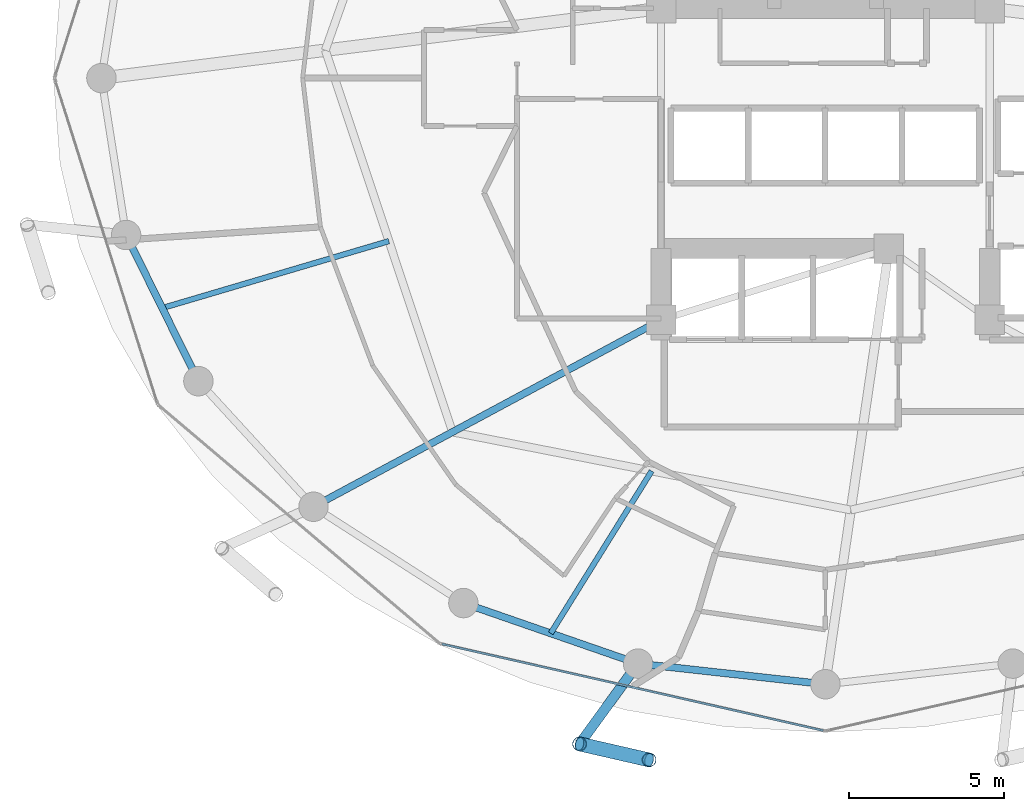
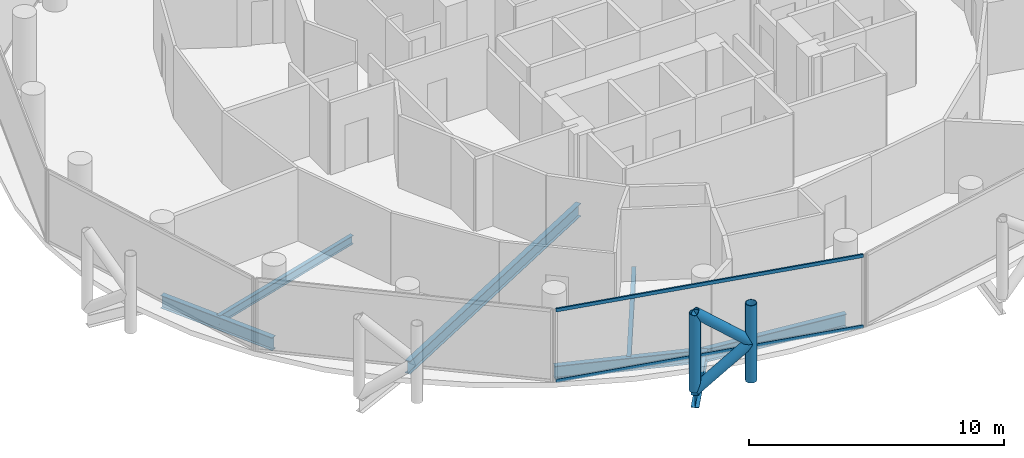
# One storey, part 3 of 26: 7 beams, 6 members, 1 element without a shape of its own.
"""IFC4 building model written with IfcOpenShell, lengths in metres."""

from ifc_helpers import new_model, si_unit, direction, frame, origin, origin_2d, place, context, subcontext, project, spatial, hollow_rectangle, hollow_circle, i_section, extrude, material, layer, layer_set, material_profile, profile_set, type_object, element, aggregate, save


model = new_model("IFC4")

# Units and contexts
model_context = context("Model", 3, precision=1e-05, world=origin(), true_north=direction((0.0, 1.0)))
body_context = subcontext(model_context, "Body", "Model", "MODEL_VIEW")
ifc_project = project(units=[si_unit("LENGTHUNIT", "METRE"), si_unit("AREAUNIT", "SQUARE_METRE"), si_unit("VOLUMEUNIT", "CUBIC_METRE"), si_unit("PLANEANGLEUNIT", "RADIAN"), si_unit("MASSUNIT", "GRAM", prefix="KILO")], contexts=[model_context])

# Site, building, storey
site_placement = place(None, origin())
site = spatial("IfcSite", under=ifc_project, at=site_placement, CompositionType="ELEMENT")
building_placement = place(site_placement, origin())
building = spatial("IfcBuilding", under=site, at=building_placement, Name="Nuhasar Tower", CompositionType="ELEMENT")
storey_placement = place(building_placement, frame((0.0, 0.0, 155.25)))
storey = spatial("IfcBuildingStorey", under=building, at=storey_placement, Name="L37", CompositionType="ELEMENT", Elevation=155.25)

# Beams
ifc_material_1 = material(Name="Steel S355", Category="steel")
ifc_material_profile_1 = material_profile(ifc_material_1, i_section(OverallWidth=0.177978515625, OverallDepth=0.406005859375, WebThickness=0.0078125, FlangeThickness=0.0126953125, at=origin_2d()), Name="W16X40")
ifc_profile_set_1 = profile_set([ifc_material_profile_1], Name="Steel S355")
beam_type_1 = type_object("IfcBeamType", Name="BM-JST-W16X40", PredefinedType="JOIST", material=ifc_profile_set_1)
beam_1_placement = place(storey_placement, frame((33.39697265625, 14.1279296875, -0.452880859375), z_axis=(-0.528139463011, -0.849157645912, 0.0), x_axis=(0.849157645912, -0.528139463011, 0.0)))
element("IfcBeam", 1, at=beam_1_placement, inside=storey, type_object=beam_type_1, Name="L37 Secondary Floor Joist 01", PredefinedType="JOIST", context=body_context, shape_type="SweptSolid", body=[
    extrude(i_section(OverallWidth=0.177978515625, OverallDepth=0.406005859375, WebThickness=0.0078125, FlangeThickness=0.0126953125, at=origin_2d()), origin(), (0.0, 0.0, 1.0), 6.164794921875),
])
beam_2_placement = place(storey_placement, frame((24.922119140625, 21.54296875, -0.452880859375), z_axis=(-0.959013356257, -0.283360869775, 0.0), x_axis=(0.283360869775, -0.959013356257, 0.0)))
element("IfcBeam", 2, at=beam_2_placement, inside=storey, type_object=beam_type_1, Name="L37 Secondary Floor Joist 08", PredefinedType="JOIST", context=body_context, shape_type="SweptSolid", body=[
    extrude(i_section(OverallWidth=0.177978515625, OverallDepth=0.406005859375, WebThickness=0.0078125, FlangeThickness=0.0126953125, at=origin_2d()), origin(), (0.0, 0.0, 1.0), 7.62255859375),
])
ifc_material_profile_2 = material_profile(ifc_material_1, i_section(OverallWidth=0.22900390625, OverallDepth=0.612060546875, WebThickness=0.011962890625, FlangeThickness=0.01953125, at=origin_2d()), Name="W24X84")
ifc_profile_set_2 = profile_set([ifc_material_profile_2], Name="Steel S355")
beam_type_2 = type_object("IfcBeamType", Name="BM-RAD-W24X84", PredefinedType="BEAM", material=ifc_profile_set_2)
beam_3_placement = place(storey_placement, frame((33.699951171875, 19.0, -0.555908203125), z_axis=(-0.880888386928, -0.473324043098, 0.0), x_axis=(0.473324043098, -0.880888386928, 0.0)))
element("IfcBeam", 3, at=beam_3_placement, inside=storey, type_object=beam_type_2, Name="L37 Radial Floor Girder 01", PredefinedType="BEAM", context=body_context, shape_type="SweptSolid", body=[
    extrude(i_section(OverallWidth=0.22900390625, OverallDepth=0.612060546875, WebThickness=0.011962890625, FlangeThickness=0.01953125, at=origin_2d()), origin(), (0.0, 0.0, 1.0), 12.726806640625),
])
ifc_material_profile_3 = material_profile(ifc_material_1, i_section(OverallWidth=0.22998046875, OverallDepth=0.616943359375, WebThickness=0.01318359375, FlangeThickness=0.022216796875, at=origin_2d()), Name="W24X94")
ifc_profile_set_3 = profile_set([ifc_material_profile_3], Name="Steel S355")
beam_type_3 = type_object("IfcBeamType", Name="BM-RING-W24X94", PredefinedType="SPANDREL", material=ifc_profile_set_3)
beam_4_placement = place(storey_placement, frame((16.446044921875, 21.739990234375, -0.55908203125), z_axis=(0.443329327657, -0.896358804966, 0.0), x_axis=(0.896358804966, 0.443329327657, 0.0)))
element("IfcBeam", 4, at=beam_4_placement, inside=storey, type_object=beam_type_3, Name="L37 Perimeter Ring Spandrel 14", PredefinedType="SPANDREL", context=body_context, shape_type="SweptSolid", body=[
    extrude(i_section(OverallWidth=0.22998046875, OverallDepth=0.616943359375, WebThickness=0.01318359375, FlangeThickness=0.022216796875, at=origin_2d()), origin(), (0.0, 0.0, 1.0), 5.26025390625),
])
beam_5_placement = place(storey_placement, frame((27.324951171875, 9.868896484375, -0.55908203125), z_axis=(0.944814057608, -0.327607076458, 0.0), x_axis=(0.327607076458, 0.944814057608, 0.0)))
element("IfcBeam", 5, at=beam_5_placement, inside=storey, type_object=beam_type_3, Name="L37 Perimeter Ring Spandrel 17", PredefinedType="SPANDREL", context=body_context, shape_type="SweptSolid", body=[
    extrude(i_section(OverallWidth=0.22998046875, OverallDepth=0.616943359375, WebThickness=0.01318359375, FlangeThickness=0.022216796875, at=origin_2d()), origin(), (0.0, 0.0, 1.0), 5.9609375),
])
beam_6_placement = place(storey_placement, frame((32.95703125, 7.916015625, -0.55908203125), z_axis=(0.993981289157, -0.109549974015, 0.0), x_axis=(0.109549974015, 0.993981289157, 0.0)))
element("IfcBeam", 6, at=beam_6_placement, inside=storey, type_object=beam_type_3, Name="L37 Perimeter Ring Spandrel 18", PredefinedType="SPANDREL", context=body_context, shape_type="SweptSolid", body=[
    extrude(i_section(OverallWidth=0.22998046875, OverallDepth=0.616943359375, WebThickness=0.01318359375, FlangeThickness=0.022216796875, at=origin_2d()), origin(), (0.0, 0.0, 1.0), 6.07958984375),
])
ifc_material_profile_4 = material_profile(ifc_material_1, i_section(OverallWidth=0.323974609375, OverallDepth=0.611083984375, WebThickness=0.0126953125, FlangeThickness=0.01904296875, at=origin_2d()), Name="W24X104")
ifc_profile_set_4 = profile_set([ifc_material_profile_4], Name="Steel S355")
beam_type_4 = type_object("IfcBeamType", Name="BM-TIE-W24X104", PredefinedType="BEAM", material=ifc_profile_set_4)
beam_7_placement = place(storey_placement, frame((32.95703125, 7.916015625, -0.554931640625), z_axis=(-0.588149050751, -0.808752554309, 0.0), x_axis=(0.808752554309, -0.588149050751, 0.0)))
element("IfcBeam", 7, at=beam_7_placement, inside=storey, type_object=beam_type_4, Name="L37 Exoskeleton Node Tie Beam 09", PredefinedType="BEAM", context=body_context, shape_type="SweptSolid", body=[
    extrude(i_section(OverallWidth=0.323974609375, OverallDepth=0.611083984375, WebThickness=0.0126953125, FlangeThickness=0.01904296875, at=origin_2d()), origin(), (0.0, 0.0, 1.0), 3.205078125),
])

# Curtain wall, members
ifc_material_2 = material(Name="Aluminium 6063-T6", Category="aluminium")
ifc_layer = layer(ifc_material_2, 0.199951171875)
ifc_layer_set = layer_set([ifc_layer], Name="Aluminium 6063-T6")
curtain_wall_type = type_object("IfcCurtainWallType", Name="CW-Z2-HTL", PredefinedType="NOTDEFINED", material=ifc_layer_set)
curtain_wall_placement = place(storey_placement, origin())
curtain_wall = element("IfcCurtainWall", 8, at=curtain_wall_placement, inside=storey, type_object=curtain_wall_type, Name="L37 Unitised Curtain Wall 09", PredefinedType="NOTDEFINED")
ifc_material_profile_5 = material_profile(ifc_material_2, hollow_rectangle(XDim=0.070068359375, YDim=0.159912109375, WallThickness=0.00439453125, at=origin_2d()), Name="CWT-3")
ifc_profile_set_5 = profile_set([ifc_material_profile_5], Name="Aluminium 6063-T6")
member_type_1 = type_object("IfcMemberType", Name="CW-TRN-S3", PredefinedType="USERDEFINED", material=ifc_profile_set_5)
member_1_placement = place(storey_placement, frame((26.63818359375, 8.54638671875, 0.034912109375), z_axis=(0.975187615691, -0.221380022142, 0.0), x_axis=(0.221380022142, 0.975187615691, 0.0)))
member_1 = element("IfcMember", 9, at=member_1_placement, type_object=member_type_1, Name="CW-Z2 transom 1.1", ObjectType="TRANSOM", PredefinedType="USERDEFINED", context=body_context, shape_type="SweptSolid", body=[
    extrude(hollow_rectangle(XDim=0.070068359375, YDim=0.159912109375, WallThickness=0.00439453125, at=origin_2d()), origin(), (0.0, 0.0, 1.0), 12.606201171875),
])
member_2_placement = place(storey_placement, frame((26.63818359375, 8.54638671875, 3.4150390625), z_axis=(0.975187615691, -0.221380022142, 0.0), x_axis=(0.221380022142, 0.975187615691, 0.0)))
member_2 = element("IfcMember", 10, at=member_2_placement, type_object=member_type_1, Name="CW-Z2 transom 1.2", ObjectType="TRANSOM", PredefinedType="USERDEFINED", context=body_context, shape_type="SweptSolid", body=[
    extrude(hollow_rectangle(XDim=0.070068359375, YDim=0.159912109375, WallThickness=0.00439453125, at=origin_2d()), origin(), (0.0, 0.0, 1.0), 12.606201171875),
])
aggregate(curtain_wall, [member_1, member_2])

# Members
ifc_material_3 = material(Name="Steel S460", Category="steel")
ifc_material_profile_6 = material_profile(ifc_material_3, hollow_circle(Radius=0.228515625, WallThickness=0.022216796875, at=origin_2d()), Name="HSS457X22.2")
ifc_profile_set_6 = profile_set([ifc_material_profile_6], Name="Steel S460")
member_type_2 = type_object("IfcMemberType", Name="EXO-BRONZE-457", PredefinedType="BRACE", material=ifc_profile_set_6)
for number, where, z_axis, x_axis, name in (
    (11, (31.072021484375, 5.323974609375, 0.0), (0.0, 0.0, 1.0), (1.0, 0.0, 0.0), "L37 Exoskeleton Chord Column EC-09A"),
    (12, (33.31396484375, 4.81005859375, 0.0), (0.0, 0.0, 1.0), (1.0, 0.0, 0.0), "L37 Exoskeleton Chord Column EC-09B"),
):
    element("IfcMember", number, at=place(storey_placement, frame(where, z_axis=z_axis, x_axis=x_axis)), inside=storey, type_object=member_type_2, Name=name, PredefinedType="BRACE", context=body_context, shape_type="SweptSolid", body=[
        extrude(hollow_circle(Radius=0.228515625, WallThickness=0.022216796875, at=origin_2d()), origin(), (0.0, 0.0, 1.0), 3.699951171875),
    ])
member_3_placement = place(storey_placement, frame((31.072021484375, 5.323974609375, 0.0), z_axis=(0.759510488094, -0.174101010284, 0.626763637022), x_axis=(0.223432882746, 0.974719316987, 0.0)))
element("IfcMember", 13, at=member_3_placement, inside=storey, type_object=member_type_2, Name="L37 Bronze Diagrid Brace W1-09", PredefinedType="BRACE", context=body_context, shape_type="SweptSolid", body=[
    extrude(hollow_circle(Radius=0.228515625, WallThickness=0.022216796875, at=origin_2d()), origin(), (0.0, 0.0, 1.0), 2.951904296875),
])
member_4_placement = place(storey_placement, frame((33.31396484375, 4.81005859375, 1.85009765625), z_axis=(-0.759549860492, 0.174110035537, 0.626713415327), x_axis=(-0.223432882746, -0.974719316987, 0.0)))
element("IfcMember", 14, at=member_4_placement, inside=storey, type_object=member_type_2, Name="L37 Bronze Diagrid Brace W2-09", PredefinedType="BRACE", context=body_context, shape_type="SweptSolid", body=[
    extrude(hollow_circle(Radius=0.228515625, WallThickness=0.022216796875, at=origin_2d()), origin(), (0.0, 0.0, 1.0), 2.95166015625),
])

save(model, "model.ifc")
